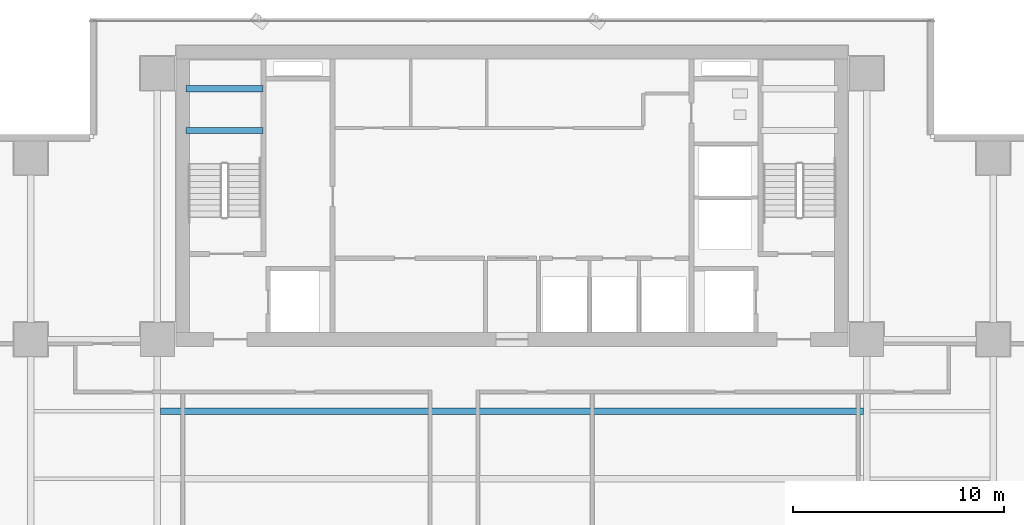
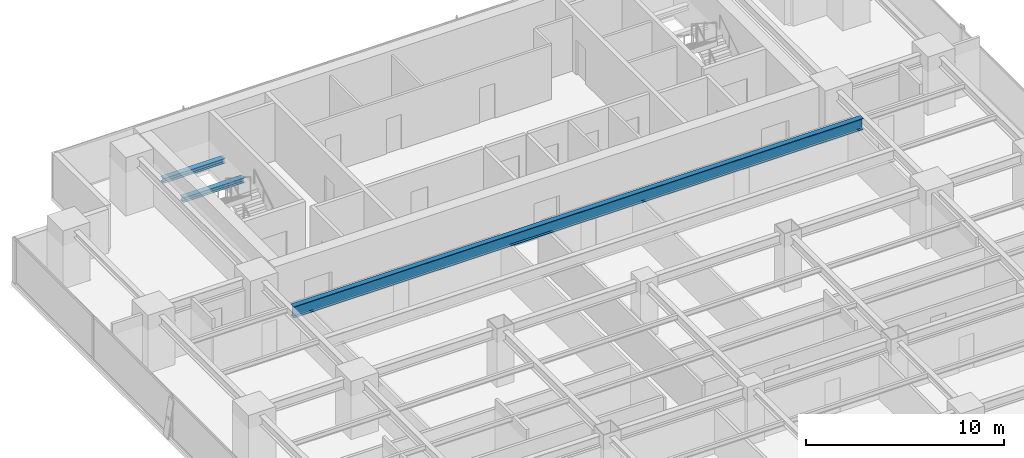
# One storey, part 19 of 35: 3 beams.
"""IFC4 building model written with IfcOpenShell, lengths in metres."""

from ifc_helpers import new_model, si_unit, direction, frame, origin, origin_2d, place, context, subcontext, project, spatial, i_section, extrude, source, transform, mapped, material, material_profile, profile_set, type_object, element, save


model = new_model("IFC4")

# Units and contexts
model_context = context("Model", 3, precision=1e-05, world=origin(), true_north=direction((0.0, 1.0)))
body_context = subcontext(model_context, "Body", "Model", "MODEL_VIEW")
ifc_project = project(units=[si_unit("LENGTHUNIT", "METRE"), si_unit("AREAUNIT", "SQUARE_METRE"), si_unit("VOLUMEUNIT", "CUBIC_METRE"), si_unit("PLANEANGLEUNIT", "RADIAN"), si_unit("MASSUNIT", "GRAM", prefix="KILO")], contexts=[model_context])

# Site, building, storey
site_placement = place(None, origin())
site = spatial("IfcSite", under=ifc_project, at=site_placement, CompositionType="ELEMENT")
building_placement = place(site_placement, origin())
building = spatial("IfcBuilding", under=site, at=building_placement, Name="Sumidabori Civic Tower", CompositionType="ELEMENT")
storey_placement = place(building_placement, frame((0.0, 0.0, 102.800048828125)))
storey = spatial("IfcBuildingStorey", under=building, at=storey_placement, Name="L26", CompositionType="ELEMENT", Elevation=102.800048828125)

# Beams
ifc_material = material(Name="Steel SN490", Category="steel")
ifc_material_profile_1 = material_profile(ifc_material, i_section(OverallWidth=0.300048828125, OverallDepth=0.300048828125, WebThickness=0.010986328125, FlangeThickness=0.01904296875, at=origin_2d()), Name="HE 300 B")
ifc_profile_set_1 = profile_set([ifc_material_profile_1], Name="Steel SN490")
beam_type_1 = type_object("IfcBeamType", Name="BM-LDG-300", PredefinedType="BEAM", material=ifc_profile_set_1)
shared_shape_1 = source(origin(), body_context, "Body", "SweptSolid", [
    extrude(i_section(OverallWidth=0.300048828125, OverallDepth=0.300048828125, WebThickness=0.010986328125, FlangeThickness=0.01904296875, at=origin_2d()), origin(), (0.0, 0.0, 1.0), 3.64990234375),
])
for number, where, z_axis, x_axis, name in (
    (1, (-15.449951171875, 20.09765625, 1.449951171875), (1.0, 0.0, 0.0), (0.0, 1.0, 0.0), "Stair ST-1 Landing Support Beam L26-1A"),
    (2, (-15.449951171875, 22.069580078125, 1.449951171875), (1.0, 0.0, 0.0), (0.0, 1.0, 0.0), "Stair ST-1 Landing Trimmer Beam L26-1B"),
):
    element("IfcBeam", number, at=place(storey_placement, frame(where, z_axis=z_axis, x_axis=x_axis)), inside=storey, type_object=beam_type_1, Name=name, PredefinedType="BEAM", context=body_context, shape_type="MappedRepresentation", body=[
        mapped(shared_shape_1, transform((0.0, 0.0, 0.0), x_axis=(1.0, 0.0, 0.0), y_axis=(0.0, 1.0, 0.0), z_axis=(0.0, 0.0, 1.0), scale=1.0)),
    ])
ifc_material_profile_2 = material_profile(ifc_material, i_section(OverallWidth=0.300048828125, OverallDepth=0.699951171875, WebThickness=0.01708984375, FlangeThickness=0.031982421875, at=origin_2d()), Name="HE 700 B")
ifc_profile_set_2 = profile_set([ifc_material_profile_2], Name="Steel SN490")
beam_type_2 = type_object("IfcBeamType", Name="BM-GIRD-700", PredefinedType="BEAM", material=ifc_profile_set_2)
shared_shape_2 = source(origin(), body_context, "Body", "SweptSolid", [
    extrude(i_section(OverallWidth=0.300048828125, OverallDepth=0.699951171875, WebThickness=0.01708984375, FlangeThickness=0.031982421875, at=origin_2d()), origin(), (0.0, 0.0, 1.0), 33.2998046875),
])
beam_placement = place(storey_placement, frame((-16.64990234375, 6.800048828125, 3.010009765625), z_axis=(1.0, 0.0, 0.0), x_axis=(0.0, 1.0, 0.0)))
element("IfcBeam", 3, at=beam_placement, inside=storey, type_object=beam_type_2, Name="North Bay Floor Beam L26 JSTN-54", PredefinedType="BEAM", context=body_context, shape_type="MappedRepresentation", body=[
    mapped(shared_shape_2, transform((0.0, 0.0, 0.0), x_axis=(1.0, 0.0, 0.0), y_axis=(0.0, 1.0, 0.0), z_axis=(0.0, 0.0, 1.0), scale=1.0)),
])

save(model, "model.ifc")
